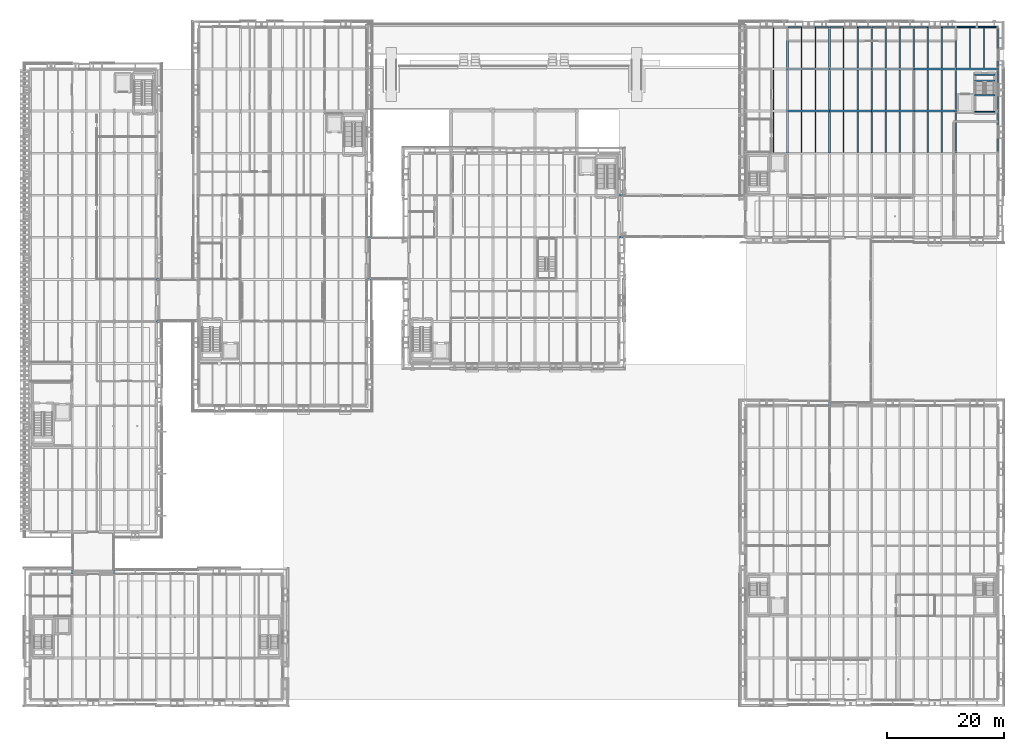
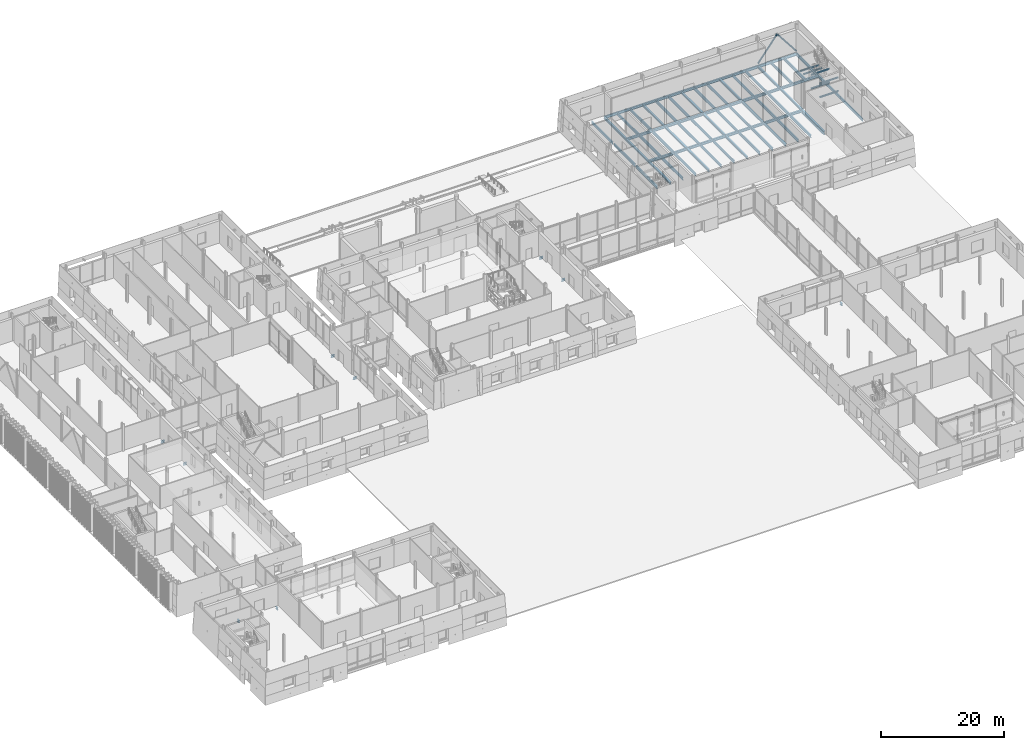
# One storey, part 44 of 120: 76 beams, 2 members.
"""IFC4 building model written with IfcOpenShell, lengths in metres."""

from ifc_helpers import new_model, si_unit, direction, frame, origin, origin_2d, place, context, subcontext, project, spatial, hollow_circle, i_section, extrude, material, material_profile, profile_set, type_object, element, save


model = new_model("IFC4")

# Units and contexts
model_context = context("Model", 3, precision=1e-05, world=origin(), true_north=direction((0.0, 1.0)))
body_context = subcontext(model_context, "Body", "Model", "MODEL_VIEW")
ifc_project = project(units=[si_unit("LENGTHUNIT", "METRE"), si_unit("AREAUNIT", "SQUARE_METRE"), si_unit("VOLUMEUNIT", "CUBIC_METRE"), si_unit("PLANEANGLEUNIT", "RADIAN"), si_unit("MASSUNIT", "GRAM", prefix="KILO")], contexts=[model_context])

# Site, building, storey
site_placement = place(None, origin())
site = spatial("IfcSite", under=ifc_project, at=site_placement, CompositionType="ELEMENT")
building_placement = place(site_placement, origin())
building = spatial("IfcBuilding", under=site, at=building_placement, Name="Narikvali Park Central Library", CompositionType="ELEMENT")
storey_placement = place(building_placement, origin())
storey = spatial("IfcBuildingStorey", under=building, at=storey_placement, Name="L00", CompositionType="ELEMENT", Elevation=0.0)

# Beams
ifc_material = material(Name="Steel S355", Category="steel")
ifc_material_profile_1 = material_profile(ifc_material, i_section(OverallWidth=0.2099609375, OverallDepth=0.550048828125, WebThickness=0.010986328125, FlangeThickness=0.01708984375, FilletRadius=0.02392578125, at=origin_2d()), Name="IPE 550")
ifc_profile_set_1 = profile_set([ifc_material_profile_1], Name="Steel S355")
beam_type_1 = type_object("IfcBeamType", Name="Assembly Floor Joist IPE550", PredefinedType="JOIST", material=ifc_profile_set_1)
beam_1_placement = place(storey_placement, frame((127.199951171875, 93.75, -0.594970703125), z_axis=(0.0, 1.0, 0.0), x_axis=(-1.0, 0.0, 0.0)))
element("IfcBeam", 1, at=beam_1_placement, inside=storey, type_object=beam_type_1, Name="V3 L00 Composite Joist 2", PredefinedType="JOIST", context=body_context, shape_type="SweptSolid", body=[
    extrude(i_section(OverallWidth=0.2099609375, OverallDepth=0.550048828125, WebThickness=0.010986328125, FlangeThickness=0.01708984375, FilletRadius=0.02392578125, at=origin_2d()), origin(), (0.0, 0.0, 1.0), 6.89990234375),
])
beam_2_placement = place(storey_placement, frame((127.199951171875, 100.949951171875, -0.594970703125), z_axis=(0.0, 1.0, 0.0), x_axis=(-1.0, 0.0, 0.0)))
element("IfcBeam", 2, at=beam_2_placement, inside=storey, type_object=beam_type_1, Name="V3 L00 Composite Joist 2", PredefinedType="JOIST", context=body_context, shape_type="SweptSolid", body=[
    extrude(i_section(OverallWidth=0.2099609375, OverallDepth=0.550048828125, WebThickness=0.010986328125, FlangeThickness=0.01708984375, FilletRadius=0.02392578125, at=origin_2d()), origin(), (0.0, 0.0, 1.0), 6.900146484375),
])
beam_3_placement = place(storey_placement, frame((127.199951171875, 108.14990234375, -0.594970703125), z_axis=(0.0, 1.0, 0.0), x_axis=(-1.0, 0.0, 0.0)))
element("IfcBeam", 3, at=beam_3_placement, inside=storey, type_object=beam_type_1, Name="V3 L00 Composite Joist 2", PredefinedType="JOIST", context=body_context, shape_type="SweptSolid", body=[
    extrude(i_section(OverallWidth=0.2099609375, OverallDepth=0.550048828125, WebThickness=0.010986328125, FlangeThickness=0.01708984375, FilletRadius=0.02392578125, at=origin_2d()), origin(), (0.0, 0.0, 1.0), 6.945068359375),
])
for number, where, z_axis, x_axis, name in (
    (4, (132.0, 93.75, -0.594970703125), (0.0, 1.0, 0.0), (-1.0, 0.0, 0.0), "V3 L00 Composite Joist 1"),
    (5, (134.39990234375, 93.75, -0.594970703125), (0.0, 1.0, 0.0), (-1.0, 0.0, 0.0), "V3 L00 Composite Joist 2"),
):
    element("IfcBeam", number, at=place(storey_placement, frame(where, z_axis=z_axis, x_axis=x_axis)), inside=storey, type_object=beam_type_1, Name=name, PredefinedType="JOIST", context=body_context, shape_type="SweptSolid", body=[
        extrude(i_section(OverallWidth=0.2099609375, OverallDepth=0.550048828125, WebThickness=0.010986328125, FlangeThickness=0.01708984375, FilletRadius=0.02392578125, at=origin_2d()), origin(), (0.0, 0.0, 1.0), 6.89990234375),
    ])
for number, where, z_axis, x_axis, name in (
    (6, (132.0, 100.949951171875, -0.594970703125), (0.0, 1.0, 0.0), (-1.0, 0.0, 0.0), "V3 L00 Composite Joist 1"),
    (7, (134.39990234375, 100.949951171875, -0.594970703125), (0.0, 1.0, 0.0), (-1.0, 0.0, 0.0), "V3 L00 Composite Joist 2"),
):
    element("IfcBeam", number, at=place(storey_placement, frame(where, z_axis=z_axis, x_axis=x_axis)), inside=storey, type_object=beam_type_1, Name=name, PredefinedType="JOIST", context=body_context, shape_type="SweptSolid", body=[
        extrude(i_section(OverallWidth=0.2099609375, OverallDepth=0.550048828125, WebThickness=0.010986328125, FlangeThickness=0.01708984375, FilletRadius=0.02392578125, at=origin_2d()), origin(), (0.0, 0.0, 1.0), 6.900146484375),
    ])
for number, where, z_axis, x_axis, name in (
    (8, (132.0, 108.14990234375, -0.594970703125), (0.0, 1.0, 0.0), (-1.0, 0.0, 0.0), "V3 L00 Composite Joist 1"),
    (9, (134.39990234375, 108.14990234375, -0.594970703125), (0.0, 1.0, 0.0), (-1.0, 0.0, 0.0), "V3 L00 Composite Joist 2"),
):
    element("IfcBeam", number, at=place(storey_placement, frame(where, z_axis=z_axis, x_axis=x_axis)), inside=storey, type_object=beam_type_1, Name=name, PredefinedType="JOIST", context=body_context, shape_type="SweptSolid", body=[
        extrude(i_section(OverallWidth=0.2099609375, OverallDepth=0.550048828125, WebThickness=0.010986328125, FlangeThickness=0.01708984375, FilletRadius=0.02392578125, at=origin_2d()), origin(), (0.0, 0.0, 1.0), 6.945068359375),
    ])
for number, where, z_axis, x_axis, name in (
    (10, (139.199951171875, 93.75, -0.594970703125), (0.0, 1.0, 0.0), (-1.0, 0.0, 0.0), "V3 L00 Composite Joist 1"),
    (11, (141.60009765625, 93.75, -0.594970703125), (0.0, 1.0, 0.0), (-1.0, 0.0, 0.0), "V3 L00 Composite Joist 2"),
):
    element("IfcBeam", number, at=place(storey_placement, frame(where, z_axis=z_axis, x_axis=x_axis)), inside=storey, type_object=beam_type_1, Name=name, PredefinedType="JOIST", context=body_context, shape_type="SweptSolid", body=[
        extrude(i_section(OverallWidth=0.2099609375, OverallDepth=0.550048828125, WebThickness=0.010986328125, FlangeThickness=0.01708984375, FilletRadius=0.02392578125, at=origin_2d()), origin(), (0.0, 0.0, 1.0), 6.89990234375),
    ])
for number, where, z_axis, x_axis, name in (
    (12, (139.199951171875, 100.949951171875, -0.594970703125), (0.0, 1.0, 0.0), (-1.0, 0.0, 0.0), "V3 L00 Composite Joist 1"),
    (13, (141.60009765625, 100.949951171875, -0.594970703125), (0.0, 1.0, 0.0), (-1.0, 0.0, 0.0), "V3 L00 Composite Joist 2"),
):
    element("IfcBeam", number, at=place(storey_placement, frame(where, z_axis=z_axis, x_axis=x_axis)), inside=storey, type_object=beam_type_1, Name=name, PredefinedType="JOIST", context=body_context, shape_type="SweptSolid", body=[
        extrude(i_section(OverallWidth=0.2099609375, OverallDepth=0.550048828125, WebThickness=0.010986328125, FlangeThickness=0.01708984375, FilletRadius=0.02392578125, at=origin_2d()), origin(), (0.0, 0.0, 1.0), 6.900146484375),
    ])
for number, where, z_axis, x_axis, name in (
    (14, (139.199951171875, 108.14990234375, -0.594970703125), (0.0, 1.0, 0.0), (-1.0, 0.0, 0.0), "V3 L00 Composite Joist 1"),
    (15, (141.60009765625, 108.14990234375, -0.594970703125), (0.0, 1.0, 0.0), (-1.0, 0.0, 0.0), "V3 L00 Composite Joist 2"),
):
    element("IfcBeam", number, at=place(storey_placement, frame(where, z_axis=z_axis, x_axis=x_axis)), inside=storey, type_object=beam_type_1, Name=name, PredefinedType="JOIST", context=body_context, shape_type="SweptSolid", body=[
        extrude(i_section(OverallWidth=0.2099609375, OverallDepth=0.550048828125, WebThickness=0.010986328125, FlangeThickness=0.01708984375, FilletRadius=0.02392578125, at=origin_2d()), origin(), (0.0, 0.0, 1.0), 6.945068359375),
    ])
for number, where, z_axis, x_axis, name in (
    (16, (146.39990234375, 93.75, -0.594970703125), (0.0, 1.0, 0.0), (-1.0, 0.0, 0.0), "V3 L00 Composite Joist 1"),
    (17, (148.800048828125, 93.75, -0.594970703125), (0.0, 1.0, 0.0), (-1.0, 0.0, 0.0), "V3 L00 Composite Joist 2"),
):
    element("IfcBeam", number, at=place(storey_placement, frame(where, z_axis=z_axis, x_axis=x_axis)), inside=storey, type_object=beam_type_1, Name=name, PredefinedType="JOIST", context=body_context, shape_type="SweptSolid", body=[
        extrude(i_section(OverallWidth=0.2099609375, OverallDepth=0.550048828125, WebThickness=0.010986328125, FlangeThickness=0.01708984375, FilletRadius=0.02392578125, at=origin_2d()), origin(), (0.0, 0.0, 1.0), 6.89990234375),
    ])
for number, where, z_axis, x_axis, name in (
    (18, (146.39990234375, 100.949951171875, -0.594970703125), (0.0, 1.0, 0.0), (-1.0, 0.0, 0.0), "V3 L00 Composite Joist 1"),
    (19, (148.800048828125, 100.949951171875, -0.594970703125), (0.0, 1.0, 0.0), (-1.0, 0.0, 0.0), "V3 L00 Composite Joist 2"),
):
    element("IfcBeam", number, at=place(storey_placement, frame(where, z_axis=z_axis, x_axis=x_axis)), inside=storey, type_object=beam_type_1, Name=name, PredefinedType="JOIST", context=body_context, shape_type="SweptSolid", body=[
        extrude(i_section(OverallWidth=0.2099609375, OverallDepth=0.550048828125, WebThickness=0.010986328125, FlangeThickness=0.01708984375, FilletRadius=0.02392578125, at=origin_2d()), origin(), (0.0, 0.0, 1.0), 6.900146484375),
    ])
for number, where, z_axis, x_axis, name in (
    (20, (146.39990234375, 108.14990234375, -0.594970703125), (0.0, 1.0, 0.0), (-1.0, 0.0, 0.0), "V3 L00 Composite Joist 1"),
    (21, (148.800048828125, 108.14990234375, -0.594970703125), (0.0, 1.0, 0.0), (-1.0, 0.0, 0.0), "V3 L00 Composite Joist 2"),
):
    element("IfcBeam", number, at=place(storey_placement, frame(where, z_axis=z_axis, x_axis=x_axis)), inside=storey, type_object=beam_type_1, Name=name, PredefinedType="JOIST", context=body_context, shape_type="SweptSolid", body=[
        extrude(i_section(OverallWidth=0.2099609375, OverallDepth=0.550048828125, WebThickness=0.010986328125, FlangeThickness=0.01708984375, FilletRadius=0.02392578125, at=origin_2d()), origin(), (0.0, 0.0, 1.0), 6.945068359375),
    ])
for number, where, z_axis, x_axis, name in (
    (22, (153.60009765625, 93.75, -0.594970703125), (0.0, 1.0, 0.0), (-1.0, 0.0, 0.0), "V3 L00 Composite Joist 1"),
    (23, (156.0, 93.75, -0.594970703125), (0.0, 1.0, 0.0), (-1.0, 0.0, 0.0), "V3 L00 Composite Joist 2"),
):
    element("IfcBeam", number, at=place(storey_placement, frame(where, z_axis=z_axis, x_axis=x_axis)), inside=storey, type_object=beam_type_1, Name=name, PredefinedType="JOIST", context=body_context, shape_type="SweptSolid", body=[
        extrude(i_section(OverallWidth=0.2099609375, OverallDepth=0.550048828125, WebThickness=0.010986328125, FlangeThickness=0.01708984375, FilletRadius=0.02392578125, at=origin_2d()), origin(), (0.0, 0.0, 1.0), 6.89990234375),
    ])
for number, where, z_axis, x_axis, name in (
    (24, (153.60009765625, 100.949951171875, -0.594970703125), (0.0, 1.0, 0.0), (-1.0, 0.0, 0.0), "V3 L00 Composite Joist 1"),
    (25, (156.0, 100.949951171875, -0.594970703125), (0.0, 1.0, 0.0), (-1.0, 0.0, 0.0), "V3 L00 Composite Joist 2"),
):
    element("IfcBeam", number, at=place(storey_placement, frame(where, z_axis=z_axis, x_axis=x_axis)), inside=storey, type_object=beam_type_1, Name=name, PredefinedType="JOIST", context=body_context, shape_type="SweptSolid", body=[
        extrude(i_section(OverallWidth=0.2099609375, OverallDepth=0.550048828125, WebThickness=0.010986328125, FlangeThickness=0.01708984375, FilletRadius=0.02392578125, at=origin_2d()), origin(), (0.0, 0.0, 1.0), 6.900146484375),
    ])
for number, where, z_axis, x_axis, name in (
    (26, (153.60009765625, 108.14990234375, -0.594970703125), (0.0, 1.0, 0.0), (-1.0, 0.0, 0.0), "V3 L00 Composite Joist 1"),
    (27, (156.0, 108.14990234375, -0.594970703125), (0.0, 1.0, 0.0), (-1.0, 0.0, 0.0), "V3 L00 Composite Joist 2"),
    (28, (160.800048828125, 108.14990234375, -0.594970703125), (0.0, 1.0, 0.0), (-1.0, 0.0, 0.0), "V3 L00 Composite Joist 1"),
    (29, (163.199951171875, 108.14990234375, -0.594970703125), (0.0, 1.0, 0.0), (-1.0, 0.0, 0.0), "V3 L00 Composite Joist 2"),
):
    element("IfcBeam", number, at=place(storey_placement, frame(where, z_axis=z_axis, x_axis=x_axis)), inside=storey, type_object=beam_type_1, Name=name, PredefinedType="JOIST", context=body_context, shape_type="SweptSolid", body=[
        extrude(i_section(OverallWidth=0.2099609375, OverallDepth=0.550048828125, WebThickness=0.010986328125, FlangeThickness=0.01708984375, FilletRadius=0.02392578125, at=origin_2d()), origin(), (0.0, 0.0, 1.0), 6.945068359375),
    ])
ifc_material_profile_2 = material_profile(ifc_material, i_section(OverallWidth=0.300048828125, OverallDepth=0.449951171875, WebThickness=0.013916015625, FlangeThickness=0.02587890625, FilletRadius=0.027099609375, at=origin_2d()), Name="HEB 450")
ifc_profile_set_2 = profile_set([ifc_material_profile_2], Name="Steel S355")
beam_type_2 = type_object("IfcBeamType", Name="Bridge Sliding Corbel Seat HEB450", PredefinedType="BEAM", material=ifc_profile_set_2)
for number, where, z_axis, x_axis, name in (
    (30, (21.60009765625, 64.800048828125, -0.905029296875), (1.0, 0.0, 0.0), (0.0, 1.0, 0.0), "BRG-1 L00 Bridge Sliding Corbel Seat 650 1"),
    (31, (21.60009765625, 72.0, -0.905029296875), (1.0, 0.0, 0.0), (0.0, 1.0, 0.0), "BRG-1 L00 Bridge Sliding Corbel Seat 650 2"),
    (32, (57.60009765625, 72.0, -0.905029296875), (1.0, 0.0, 0.0), (0.0, 1.0, 0.0), "BRG-2 L00 Bridge Sliding Corbel Seat 650 1"),
    (33, (57.60009765625, 79.199951171875, -0.905029296875), (1.0, 0.0, 0.0), (0.0, 1.0, 0.0), "BRG-2 L00 Bridge Sliding Corbel Seat 650 2"),
    (34, (100.800048828125, 79.199951171875, -0.945068359375), (1.0, 0.0, 0.0), (0.0, 1.0, 0.0), "BRG-3 L00 Bridge Sliding Corbel Seat 650 1"),
    (35, (100.800048828125, 86.39990234375, -0.945068359375), (1.0, 0.0, 0.0), (0.0, 1.0, 0.0), "BRG-3 L00 Bridge Sliding Corbel Seat 650 2"),
):
    element("IfcBeam", number, at=place(storey_placement, frame(where, z_axis=z_axis, x_axis=x_axis)), inside=storey, type_object=beam_type_2, Name=name, PredefinedType="BEAM", context=body_context, shape_type="SweptSolid", body=[
        extrude(i_section(OverallWidth=0.300048828125, OverallDepth=0.449951171875, WebThickness=0.013916015625, FlangeThickness=0.02587890625, FilletRadius=0.027099609375, at=origin_2d()), origin(), (0.0, 0.0, 1.0), 0.64990234375),
    ])
beam_4_placement = place(storey_placement, frame((136.800048828125, 50.39990234375, -0.9150390625), z_axis=(0.0, 1.0, 0.0), x_axis=(-1.0, 0.0, 0.0)))
element("IfcBeam", 36, at=beam_4_placement, inside=storey, type_object=beam_type_2, Name="BRG-4 L00 Bridge Sliding Corbel Seat 650 1", PredefinedType="BEAM", context=body_context, shape_type="SweptSolid", body=[
    extrude(i_section(OverallWidth=0.300048828125, OverallDepth=0.449951171875, WebThickness=0.013916015625, FlangeThickness=0.02587890625, FilletRadius=0.027099609375, at=origin_2d()), origin(), (0.0, 0.0, 1.0), 0.650146484375),
])
for number, where, z_axis, x_axis, name in (
    (37, (7.199951171875, 21.60009765625, -0.905029296875), (0.0, 1.0, 0.0), (-1.0, 0.0, 0.0), "BRG-5 L00 Bridge Sliding Corbel Seat 650 1"),
    (38, (14.39990234375, 21.60009765625, -0.905029296875), (0.0, 1.0, 0.0), (-1.0, 0.0, 0.0), "BRG-5 L00 Bridge Sliding Corbel Seat 650 2"),
):
    element("IfcBeam", number, at=place(storey_placement, frame(where, z_axis=z_axis, x_axis=x_axis)), inside=storey, type_object=beam_type_2, Name=name, PredefinedType="BEAM", context=body_context, shape_type="SweptSolid", body=[
        extrude(i_section(OverallWidth=0.300048828125, OverallDepth=0.449951171875, WebThickness=0.013916015625, FlangeThickness=0.02587890625, FilletRadius=0.027099609375, at=origin_2d()), origin(), (0.0, 0.0, 1.0), 0.64990234375),
    ])
ifc_material_profile_3 = material_profile(ifc_material, i_section(OverallWidth=0.239990234375, OverallDepth=0.239990234375, WebThickness=0.010009765625, FlangeThickness=0.01708984375, FilletRadius=0.02099609375, at=origin_2d()), Name="HEB 240")
ifc_profile_set_3 = profile_set([ifc_material_profile_3], Name="Steel S355")
beam_type_3 = type_object("IfcBeamType", Name="Core Trimmer Girder HEB240", PredefinedType="BEAM", material=ifc_profile_set_3)
for number, where, z_axis, x_axis, name in (
    (39, (161.570068359375, 105.969970703125, 2.3798828125), (1.0, 0.0, 0.0), (0.0, 1.0, 0.0), "ST-06 L00 Landing Trimmer Beam 2-1"),
    (40, (161.570068359375, 106.97998046875, 2.3798828125), (1.0, 0.0, 0.0), (0.0, 1.0, 0.0), "ST-06 L00 Landing Trimmer Beam 2-2"),
):
    element("IfcBeam", number, at=place(storey_placement, frame(where, z_axis=z_axis, x_axis=x_axis)), inside=storey, type_object=beam_type_3, Name=name, PredefinedType="BEAM", context=body_context, shape_type="SweptSolid", body=[
        extrude(i_section(OverallWidth=0.239990234375, OverallDepth=0.239990234375, WebThickness=0.010009765625, FlangeThickness=0.01708984375, FilletRadius=0.02099609375, at=origin_2d()), origin(), (0.0, 0.0, 1.0), 3.559814453125),
    ])
ifc_material_profile_4 = material_profile(ifc_material, i_section(OverallWidth=0.260009765625, OverallDepth=0.260009765625, WebThickness=0.010009765625, FlangeThickness=0.017578125, FilletRadius=0.02392578125, at=origin_2d()), Name="HEB 260")
ifc_profile_set_4 = profile_set([ifc_material_profile_4], Name="Steel S355")
beam_type_4 = type_object("IfcBeamType", Name="Core Trimmer Girder HEB260", PredefinedType="BEAM", material=ifc_profile_set_4)
for number, where, z_axis, x_axis, name in (
    (41, (161.570068359375, 100.719970703125, 1.02001953125), (1.0, 0.0, 0.0), (0.0, 1.0, 0.0), "ST-06 L00 Landing Trimmer Beam 1-1"),
    (42, (161.570068359375, 103.534912109375, 1.02001953125), (1.0, 0.0, 0.0), (0.0, 1.0, 0.0), "ST-06 L00 Landing Trimmer Beam 1-2"),
):
    element("IfcBeam", number, at=place(storey_placement, frame(where, z_axis=z_axis, x_axis=x_axis)), inside=storey, type_object=beam_type_4, Name=name, PredefinedType="BEAM", context=body_context, shape_type="SweptSolid", body=[
        extrude(i_section(OverallWidth=0.260009765625, OverallDepth=0.260009765625, WebThickness=0.010009765625, FlangeThickness=0.017578125, FilletRadius=0.02392578125, at=origin_2d()), origin(), (0.0, 0.0, 1.0), 3.559814453125),
    ])

# Members
ifc_material_profile_5 = material_profile(ifc_material, hollow_circle(Radius=0.149169921875, WallThickness=0.012451171875, at=origin_2d()), Name="CHS 298.5x12.5")
ifc_profile_set_5 = profile_set([ifc_material_profile_5], Name="Steel S355")
member_type = type_object("IfcMemberType", Name="Ground Chevron Brace CHS298", PredefinedType="BRACE", material=ifc_profile_set_5)
for number, where, z_axis, x_axis, name in (
    (43, (158.4150390625, 115.199951171875, 0.014892578125), (0.61593947973, 0.0, 0.787793473767), (0.0, 1.0, 0.0), "V3 L00 Seismic Chevron Brace A"),
    (44, (165.5849609375, 115.199951171875, 0.014892578125), (-0.61593947973, 0.0, 0.787793473767), (0.0, -1.0, 0.0), "V3 L00 Seismic Chevron Brace B"),
):
    element("IfcMember", number, at=place(storey_placement, frame(where, z_axis=z_axis, x_axis=x_axis)), inside=storey, type_object=member_type, Name=name, PredefinedType="BRACE", context=body_context, shape_type="SweptSolid", body=[
        extrude(hollow_circle(Radius=0.149169921875, WallThickness=0.012451171875, at=origin_2d()), origin(), (0.0, 0.0, 1.0), 5.8203125),
    ])

# Beams
ifc_material_profile_6 = material_profile(ifc_material, i_section(OverallWidth=0.300048828125, OverallDepth=0.699951171875, WebThickness=0.01708984375, FlangeThickness=0.031982421875, FilletRadius=0.027099609375, at=origin_2d()), Name="HEB 700")
ifc_profile_set_6 = profile_set([ifc_material_profile_6], Name="Steel S355")
beam_type_5 = type_object("IfcBeamType", Name="Long Span Girder HEB700", PredefinedType="BEAM", material=ifc_profile_set_6)
beam_5_placement = place(storey_placement, frame((158.39990234375, 93.60791015625, -0.669921875), z_axis=(0.0, 1.0, 0.0), x_axis=(-1.0, 0.0, 0.0)))
element("IfcBeam", 45, at=beam_5_placement, inside=storey, type_object=beam_type_5, Name="V3 L00 Girder Y", PredefinedType="BEAM", context=body_context, shape_type="SweptSolid", body=[
    extrude(i_section(OverallWidth=0.300048828125, OverallDepth=0.699951171875, WebThickness=0.01708984375, FlangeThickness=0.031982421875, FilletRadius=0.027099609375, at=origin_2d()), origin(), (0.0, 0.0, 1.0), 7.18408203125),
])
ifc_material_profile_7 = material_profile(ifc_material, i_section(OverallWidth=0.2099609375, OverallDepth=0.550048828125, WebThickness=0.010986328125, FlangeThickness=0.01708984375, FilletRadius=0.02392578125, at=origin_2d()), Name="IPE 550")
ifc_profile_set_7 = profile_set([ifc_material_profile_7], Name="Steel S355")
beam_type_6 = type_object("IfcBeamType", Name="Perimeter Spandrel IPE550", PredefinedType="SPANDREL", material=ifc_profile_set_7)
beam_6_placement = place(storey_placement, frame((129.60791015625, 115.199951171875, -0.594970703125), z_axis=(1.0, 0.0, 0.0), x_axis=(0.0, 1.0, 0.0)))
element("IfcBeam", 46, at=beam_6_placement, inside=storey, type_object=beam_type_6, Name="V3 L00 Girder X", PredefinedType="SPANDREL", context=body_context, shape_type="SweptSolid", body=[
    extrude(i_section(OverallWidth=0.2099609375, OverallDepth=0.550048828125, WebThickness=0.010986328125, FlangeThickness=0.01708984375, FilletRadius=0.02392578125, at=origin_2d()), origin(), (0.0, 0.0, 1.0), 7.18408203125),
])
for number, where, z_axis, x_axis, name in (
    (47, (136.80810546875, 115.199951171875, -0.594970703125), (1.0, 0.0, 0.0), (0.0, 1.0, 0.0), "V3 L00 Girder X"),
    (48, (144.008056640625, 115.199951171875, -0.594970703125), (1.0, 0.0, 0.0), (0.0, 1.0, 0.0), "V3 L00 Girder X"),
):
    element("IfcBeam", number, at=place(storey_placement, frame(where, z_axis=z_axis, x_axis=x_axis)), inside=storey, type_object=beam_type_6, Name=name, PredefinedType="SPANDREL", context=body_context, shape_type="SweptSolid", body=[
        extrude(i_section(OverallWidth=0.2099609375, OverallDepth=0.550048828125, WebThickness=0.010986328125, FlangeThickness=0.01708984375, FilletRadius=0.02392578125, at=origin_2d()), origin(), (0.0, 0.0, 1.0), 7.183837890625),
    ])
for number, where, z_axis, x_axis, name in (
    (49, (151.2080078125, 115.199951171875, -0.594970703125), (1.0, 0.0, 0.0), (0.0, 1.0, 0.0), "V3 L00 Girder X"),
    (50, (158.407958984375, 115.199951171875, -0.594970703125), (1.0, 0.0, 0.0), (0.0, 1.0, 0.0), "V3 L00 Girder X"),
    (51, (165.60009765625, 93.60791015625, -0.594970703125), (0.0, 1.0, 0.0), (-1.0, 0.0, 0.0), "V3 L00 Girder Y"),
):
    element("IfcBeam", number, at=place(storey_placement, frame(where, z_axis=z_axis, x_axis=x_axis)), inside=storey, type_object=beam_type_6, Name=name, PredefinedType="SPANDREL", context=body_context, shape_type="SweptSolid", body=[
        extrude(i_section(OverallWidth=0.2099609375, OverallDepth=0.550048828125, WebThickness=0.010986328125, FlangeThickness=0.01708984375, FilletRadius=0.02392578125, at=origin_2d()), origin(), (0.0, 0.0, 1.0), 7.18408203125),
    ])
for number, where, z_axis, x_axis, name in (
    (52, (165.60009765625, 100.80810546875, -0.594970703125), (0.0, 1.0, 0.0), (-1.0, 0.0, 0.0), "V3 L00 Girder Y"),
    (53, (165.60009765625, 108.008056640625, -0.594970703125), (0.0, 1.0, 0.0), (-1.0, 0.0, 0.0), "V3 L00 Girder Y"),
):
    element("IfcBeam", number, at=place(storey_placement, frame(where, z_axis=z_axis, x_axis=x_axis)), inside=storey, type_object=beam_type_6, Name=name, PredefinedType="SPANDREL", context=body_context, shape_type="SweptSolid", body=[
        extrude(i_section(OverallWidth=0.2099609375, OverallDepth=0.550048828125, WebThickness=0.010986328125, FlangeThickness=0.01708984375, FilletRadius=0.02392578125, at=origin_2d()), origin(), (0.0, 0.0, 1.0), 7.183837890625),
    ])
ifc_material_profile_8 = material_profile(ifc_material, i_section(OverallWidth=0.239990234375, OverallDepth=0.22998046875, WebThickness=0.007568359375, FlangeThickness=0.011962890625, FilletRadius=0.02099609375, at=origin_2d()), Name="HEA 240")
ifc_profile_set_8 = profile_set([ifc_material_profile_8], Name="Steel S355")
beam_type_7 = type_object("IfcBeamType", Name="Primary Girder HEA240", PredefinedType="BEAM", material=ifc_profile_set_8)
for number, where, z_axis, x_axis, name in (
    (54, (161.570068359375, 100.719970703125, 3.735107421875), (1.0, 0.0, 0.0), (0.0, 1.0, 0.0), "ST-06 L00 Landing Trimmer Beam 3-1"),
    (55, (161.570068359375, 103.534912109375, 3.735107421875), (1.0, 0.0, 0.0), (0.0, 1.0, 0.0), "ST-06 L00 Landing Trimmer Beam 3-2"),
):
    element("IfcBeam", number, at=place(storey_placement, frame(where, z_axis=z_axis, x_axis=x_axis)), inside=storey, type_object=beam_type_7, Name=name, PredefinedType="BEAM", context=body_context, shape_type="SweptSolid", body=[
        extrude(i_section(OverallWidth=0.239990234375, OverallDepth=0.22998046875, WebThickness=0.007568359375, FlangeThickness=0.011962890625, FilletRadius=0.02099609375, at=origin_2d()), origin(), (0.0, 0.0, 1.0), 3.559814453125),
    ])
ifc_material_profile_9 = material_profile(ifc_material, i_section(OverallWidth=0.300048828125, OverallDepth=0.43994140625, WebThickness=0.011474609375, FlangeThickness=0.02099609375, FilletRadius=0.027099609375, at=origin_2d()), Name="HEA 450")
ifc_profile_set_9 = profile_set([ifc_material_profile_9], Name="Steel S355")
beam_type_8 = type_object("IfcBeamType", Name="Primary Girder HEA450", PredefinedType="BEAM", material=ifc_profile_set_9)
beam_7_placement = place(storey_placement, frame((129.60009765625, 93.60791015625, -0.5400390625), z_axis=(0.0, 1.0, 0.0), x_axis=(-1.0, 0.0, 0.0)))
element("IfcBeam", 56, at=beam_7_placement, inside=storey, type_object=beam_type_8, Name="V3 L00 Girder Y", PredefinedType="BEAM", context=body_context, shape_type="SweptSolid", body=[
    extrude(i_section(OverallWidth=0.300048828125, OverallDepth=0.43994140625, WebThickness=0.011474609375, FlangeThickness=0.02099609375, FilletRadius=0.027099609375, at=origin_2d()), origin(), (0.0, 0.0, 1.0), 7.18408203125),
])
for number, where, z_axis, x_axis, name in (
    (57, (129.60009765625, 100.80810546875, -0.5400390625), (0.0, 1.0, 0.0), (-1.0, 0.0, 0.0), "V3 L00 Girder Y"),
    (58, (129.60009765625, 108.008056640625, -0.5400390625), (0.0, 1.0, 0.0), (-1.0, 0.0, 0.0), "V3 L00 Girder Y"),
):
    element("IfcBeam", number, at=place(storey_placement, frame(where, z_axis=z_axis, x_axis=x_axis)), inside=storey, type_object=beam_type_8, Name=name, PredefinedType="BEAM", context=body_context, shape_type="SweptSolid", body=[
        extrude(i_section(OverallWidth=0.300048828125, OverallDepth=0.43994140625, WebThickness=0.011474609375, FlangeThickness=0.02099609375, FilletRadius=0.027099609375, at=origin_2d()), origin(), (0.0, 0.0, 1.0), 7.183837890625),
    ])
beam_8_placement = place(storey_placement, frame((136.800048828125, 93.60791015625, -0.5400390625), z_axis=(0.0, 1.0, 0.0), x_axis=(-1.0, 0.0, 0.0)))
element("IfcBeam", 59, at=beam_8_placement, inside=storey, type_object=beam_type_8, Name="V3 L00 Girder Y", PredefinedType="BEAM", context=body_context, shape_type="SweptSolid", body=[
    extrude(i_section(OverallWidth=0.300048828125, OverallDepth=0.43994140625, WebThickness=0.011474609375, FlangeThickness=0.02099609375, FilletRadius=0.027099609375, at=origin_2d()), origin(), (0.0, 0.0, 1.0), 7.18408203125),
])
for number, where, z_axis, x_axis, name in (
    (60, (136.800048828125, 100.80810546875, -0.5400390625), (0.0, 1.0, 0.0), (-1.0, 0.0, 0.0), "V3 L00 Girder Y"),
    (61, (136.800048828125, 108.008056640625, -0.5400390625), (0.0, 1.0, 0.0), (-1.0, 0.0, 0.0), "V3 L00 Girder Y"),
):
    element("IfcBeam", number, at=place(storey_placement, frame(where, z_axis=z_axis, x_axis=x_axis)), inside=storey, type_object=beam_type_8, Name=name, PredefinedType="BEAM", context=body_context, shape_type="SweptSolid", body=[
        extrude(i_section(OverallWidth=0.300048828125, OverallDepth=0.43994140625, WebThickness=0.011474609375, FlangeThickness=0.02099609375, FilletRadius=0.027099609375, at=origin_2d()), origin(), (0.0, 0.0, 1.0), 7.183837890625),
    ])
beam_9_placement = place(storey_placement, frame((144.0, 93.60791015625, -0.5400390625), z_axis=(0.0, 1.0, 0.0), x_axis=(-1.0, 0.0, 0.0)))
element("IfcBeam", 62, at=beam_9_placement, inside=storey, type_object=beam_type_8, Name="V3 L00 Girder Y", PredefinedType="BEAM", context=body_context, shape_type="SweptSolid", body=[
    extrude(i_section(OverallWidth=0.300048828125, OverallDepth=0.43994140625, WebThickness=0.011474609375, FlangeThickness=0.02099609375, FilletRadius=0.027099609375, at=origin_2d()), origin(), (0.0, 0.0, 1.0), 7.18408203125),
])
for number, where, z_axis, x_axis, name in (
    (63, (144.0, 100.80810546875, -0.5400390625), (0.0, 1.0, 0.0), (-1.0, 0.0, 0.0), "V3 L00 Girder Y"),
    (64, (144.0, 108.008056640625, -0.5400390625), (0.0, 1.0, 0.0), (-1.0, 0.0, 0.0), "V3 L00 Girder Y"),
):
    element("IfcBeam", number, at=place(storey_placement, frame(where, z_axis=z_axis, x_axis=x_axis)), inside=storey, type_object=beam_type_8, Name=name, PredefinedType="BEAM", context=body_context, shape_type="SweptSolid", body=[
        extrude(i_section(OverallWidth=0.300048828125, OverallDepth=0.43994140625, WebThickness=0.011474609375, FlangeThickness=0.02099609375, FilletRadius=0.027099609375, at=origin_2d()), origin(), (0.0, 0.0, 1.0), 7.183837890625),
    ])
beam_10_placement = place(storey_placement, frame((151.199951171875, 93.60791015625, -0.5400390625), z_axis=(0.0, 1.0, 0.0), x_axis=(-1.0, 0.0, 0.0)))
element("IfcBeam", 65, at=beam_10_placement, inside=storey, type_object=beam_type_8, Name="V3 L00 Girder Y", PredefinedType="BEAM", context=body_context, shape_type="SweptSolid", body=[
    extrude(i_section(OverallWidth=0.300048828125, OverallDepth=0.43994140625, WebThickness=0.011474609375, FlangeThickness=0.02099609375, FilletRadius=0.027099609375, at=origin_2d()), origin(), (0.0, 0.0, 1.0), 7.18408203125),
])
for number, where, z_axis, x_axis, name in (
    (66, (151.199951171875, 100.80810546875, -0.5400390625), (0.0, 1.0, 0.0), (-1.0, 0.0, 0.0), "V3 L00 Girder Y"),
    (67, (151.199951171875, 108.008056640625, -0.5400390625), (0.0, 1.0, 0.0), (-1.0, 0.0, 0.0), "V3 L00 Girder Y"),
    (68, (158.39990234375, 100.80810546875, -0.5400390625), (0.0, 1.0, 0.0), (-1.0, 0.0, 0.0), "V3 L00 Girder Y"),
    (69, (158.39990234375, 108.008056640625, -0.5400390625), (0.0, 1.0, 0.0), (-1.0, 0.0, 0.0), "V3 L00 Girder Y"),
):
    element("IfcBeam", number, at=place(storey_placement, frame(where, z_axis=z_axis, x_axis=x_axis)), inside=storey, type_object=beam_type_8, Name=name, PredefinedType="BEAM", context=body_context, shape_type="SweptSolid", body=[
        extrude(i_section(OverallWidth=0.300048828125, OverallDepth=0.43994140625, WebThickness=0.011474609375, FlangeThickness=0.02099609375, FilletRadius=0.027099609375, at=origin_2d()), origin(), (0.0, 0.0, 1.0), 7.183837890625),
    ])
ifc_material_profile_10 = material_profile(ifc_material, i_section(OverallWidth=0.300048828125, OverallDepth=0.489990234375, WebThickness=0.011962890625, FlangeThickness=0.02294921875, FilletRadius=0.027099609375, at=origin_2d()), Name="HEA 500")
ifc_profile_set_10 = profile_set([ifc_material_profile_10], Name="Steel S355")
beam_type_9 = type_object("IfcBeamType", Name="Primary Girder HEA500", PredefinedType="BEAM", material=ifc_profile_set_10)
beam_11_placement = place(storey_placement, frame((129.60791015625, 100.800048828125, -0.56494140625), z_axis=(1.0, 0.0, 0.0), x_axis=(0.0, 1.0, 0.0)))
element("IfcBeam", 70, at=beam_11_placement, inside=storey, type_object=beam_type_9, Name="V3 L00 Girder X", PredefinedType="BEAM", context=body_context, shape_type="SweptSolid", body=[
    extrude(i_section(OverallWidth=0.300048828125, OverallDepth=0.489990234375, WebThickness=0.011962890625, FlangeThickness=0.02294921875, FilletRadius=0.027099609375, at=origin_2d()), origin(), (0.0, 0.0, 1.0), 7.18408203125),
])
for number, where, z_axis, x_axis, name in (
    (71, (136.80810546875, 100.800048828125, -0.56494140625), (1.0, 0.0, 0.0), (0.0, 1.0, 0.0), "V3 L00 Girder X"),
    (72, (144.008056640625, 100.800048828125, -0.56494140625), (1.0, 0.0, 0.0), (0.0, 1.0, 0.0), "V3 L00 Girder X"),
):
    element("IfcBeam", number, at=place(storey_placement, frame(where, z_axis=z_axis, x_axis=x_axis)), inside=storey, type_object=beam_type_9, Name=name, PredefinedType="BEAM", context=body_context, shape_type="SweptSolid", body=[
        extrude(i_section(OverallWidth=0.300048828125, OverallDepth=0.489990234375, WebThickness=0.011962890625, FlangeThickness=0.02294921875, FilletRadius=0.027099609375, at=origin_2d()), origin(), (0.0, 0.0, 1.0), 7.183837890625),
    ])
for number, where, z_axis, x_axis, name in (
    (73, (151.2080078125, 100.800048828125, -0.56494140625), (1.0, 0.0, 0.0), (0.0, 1.0, 0.0), "V3 L00 Girder X"),
    (74, (129.60791015625, 108.0, -0.56494140625), (1.0, 0.0, 0.0), (0.0, 1.0, 0.0), "V3 L00 Girder X"),
):
    element("IfcBeam", number, at=place(storey_placement, frame(where, z_axis=z_axis, x_axis=x_axis)), inside=storey, type_object=beam_type_9, Name=name, PredefinedType="BEAM", context=body_context, shape_type="SweptSolid", body=[
        extrude(i_section(OverallWidth=0.300048828125, OverallDepth=0.489990234375, WebThickness=0.011962890625, FlangeThickness=0.02294921875, FilletRadius=0.027099609375, at=origin_2d()), origin(), (0.0, 0.0, 1.0), 7.18408203125),
    ])
for number, where, z_axis, x_axis, name in (
    (75, (136.80810546875, 108.0, -0.56494140625), (1.0, 0.0, 0.0), (0.0, 1.0, 0.0), "V3 L00 Girder X"),
    (76, (144.008056640625, 108.0, -0.56494140625), (1.0, 0.0, 0.0), (0.0, 1.0, 0.0), "V3 L00 Girder X"),
):
    element("IfcBeam", number, at=place(storey_placement, frame(where, z_axis=z_axis, x_axis=x_axis)), inside=storey, type_object=beam_type_9, Name=name, PredefinedType="BEAM", context=body_context, shape_type="SweptSolid", body=[
        extrude(i_section(OverallWidth=0.300048828125, OverallDepth=0.489990234375, WebThickness=0.011962890625, FlangeThickness=0.02294921875, FilletRadius=0.027099609375, at=origin_2d()), origin(), (0.0, 0.0, 1.0), 7.183837890625),
    ])
for number, where, z_axis, x_axis, name in (
    (77, (151.2080078125, 108.0, -0.56494140625), (1.0, 0.0, 0.0), (0.0, 1.0, 0.0), "V3 L00 Girder X"),
    (78, (158.407958984375, 108.0, -0.56494140625), (1.0, 0.0, 0.0), (0.0, 1.0, 0.0), "V3 L00 Girder X"),
):
    element("IfcBeam", number, at=place(storey_placement, frame(where, z_axis=z_axis, x_axis=x_axis)), inside=storey, type_object=beam_type_9, Name=name, PredefinedType="BEAM", context=body_context, shape_type="SweptSolid", body=[
        extrude(i_section(OverallWidth=0.300048828125, OverallDepth=0.489990234375, WebThickness=0.011962890625, FlangeThickness=0.02294921875, FilletRadius=0.027099609375, at=origin_2d()), origin(), (0.0, 0.0, 1.0), 7.18408203125),
    ])

save(model, "model.ifc")
